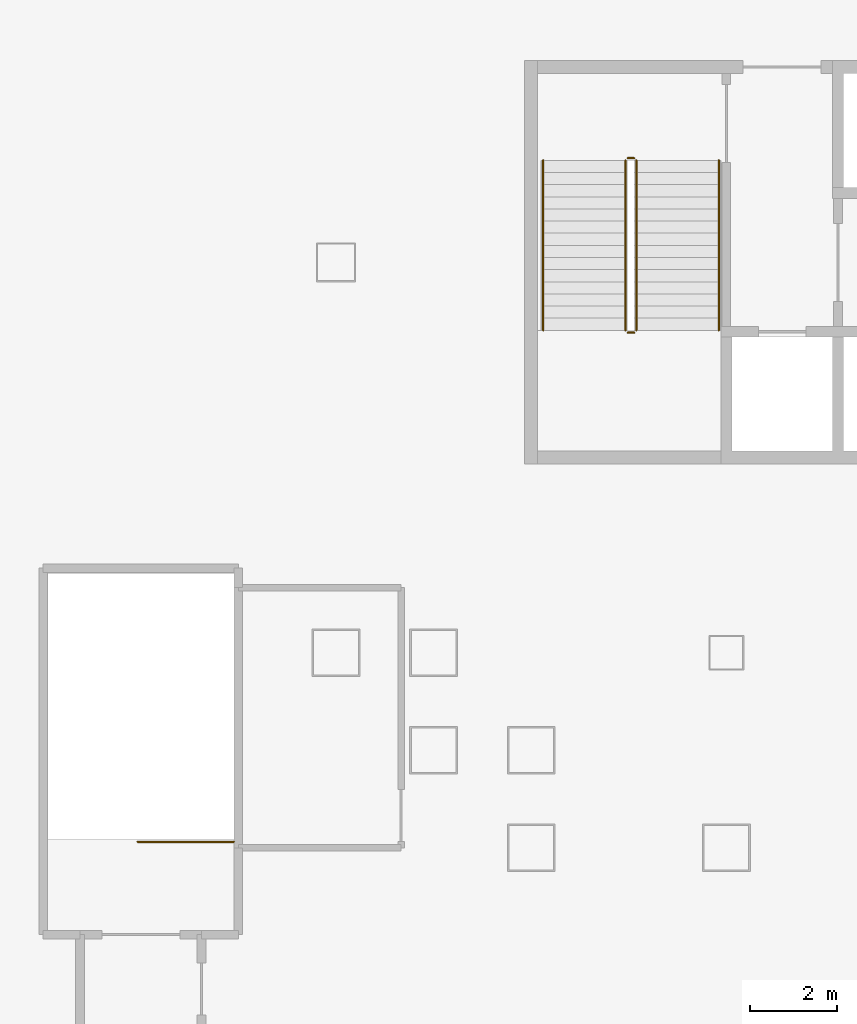
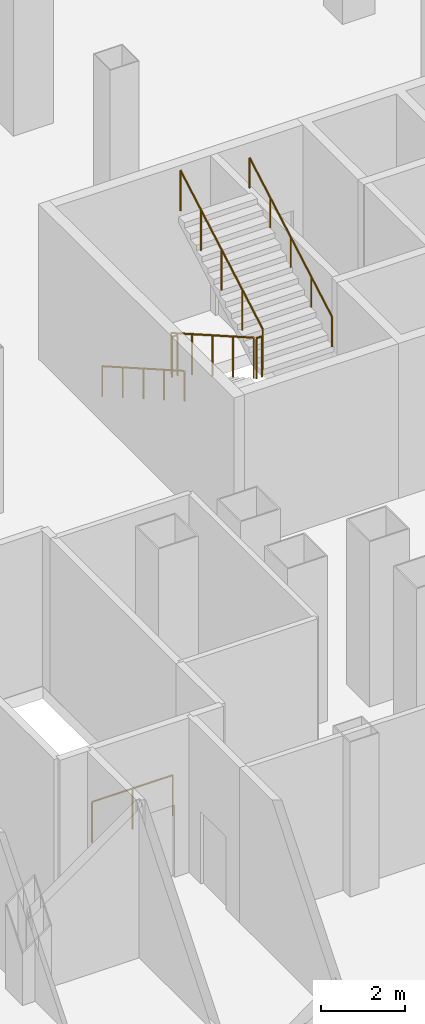
# One storey, part 11 of 13: 7 railings.
"""IFC4 building model written with IfcOpenShell, lengths in metres."""

from ifc_helpers import new_model, si_unit, direction, frame, origin, origin_2d, place, context, subcontext, project, spatial, circle, extrude, material, type_object, element, save


model = new_model("IFC4")

# Units and contexts
model_context = context("Model", 3, precision=1e-05, world=origin(), true_north=direction((0.0, 1.0)))
body_context = subcontext(model_context, "Body", "Model", "MODEL_VIEW")
ifc_project = project(units=[si_unit("LENGTHUNIT", "METRE"), si_unit("AREAUNIT", "SQUARE_METRE"), si_unit("VOLUMEUNIT", "CUBIC_METRE"), si_unit("PLANEANGLEUNIT", "RADIAN"), si_unit("MASSUNIT", "GRAM", prefix="KILO")], contexts=[model_context])

# Site, building, storey
site_placement = place(None, origin())
site = spatial("IfcSite", under=ifc_project, at=site_placement, CompositionType="ELEMENT")
building_placement = place(site_placement, origin())
building = spatial("IfcBuilding", under=site, at=building_placement, Name="Caravel Reach Hotel and Residences", CompositionType="ELEMENT")
storey_placement = place(building_placement, frame((0.0, 0.0, 28.800048828125)))
storey = spatial("IfcBuildingStorey", under=building, at=storey_placement, Name="L05", CompositionType="ELEMENT", Elevation=28.800048828125)

# Railings
ifc_material_1 = material(Name="Steel balustrade with glass infill", Category="steel")
railing_type_1 = type_object("IfcRailingType", Name="Guard 1200", PredefinedType="GUARDRAIL", material=ifc_material_1)
railing_1_placement = place(storey_placement, frame((20.175048828125, 29.35009765625, 0.159912109375)))
element("IfcRailing", 1, at=railing_1_placement, inside=storey, type_object=railing_type_1, Name="L05 ST-A stair guard 1", PredefinedType="GUARDRAIL", context=body_context, shape_type="SweptSolid", body=[
    extrude(circle(Radius=0.02392578125, at=origin_2d()), frame((0.0, 0.0, 1.17578125), z_axis=(0.0, -0.86825312469, 0.496121468458), x_axis=(1.0, 0.0, 0.0)), (0.0, 0.0, 1.0), 4.514892578125),
    extrude(circle(Radius=0.02099609375, at=origin_2d()), origin(), (0.0, 0.0, 1.0), 1.15185546875),
    extrude(circle(Radius=0.02099609375, at=origin_2d()), frame((0.0, -0.97998046875, 0.56005859375)), (0.0, 0.0, 1.0), 1.15185546875),
    extrude(circle(Radius=0.02099609375, at=origin_2d()), frame((0.0, -1.9599609375, 1.1201171875)), (0.0, 0.0, 1.0), 1.15185546875),
    extrude(circle(Radius=0.02099609375, at=origin_2d()), frame((0.0, -2.940185546875, 1.679931640625)), (0.0, 0.0, 1.0), 1.15185546875),
    extrude(circle(Radius=0.02099609375, at=origin_2d()), frame((0.0, -3.920166015625, 2.239990234375)), (0.0, 0.0, 1.0), 1.15185546875),
])
railing_2_placement = place(storey_placement, frame((20.22509765625, 25.3798828125, 2.39990234375)))
element("IfcRailing", 2, at=railing_2_placement, inside=storey, type_object=railing_type_1, Name="L05 ST-A stair guard 2", PredefinedType="GUARDRAIL", context=body_context, shape_type="SweptSolid", body=[
    extrude(circle(Radius=0.02392578125, at=origin_2d()), frame((0.0, 0.0, 1.17578125), z_axis=(1.0, 0.0, 0.0), x_axis=(0.0, 1.0, 0.0)), (0.0, 0.0, 1.0), 0.14990234375),
    extrude(circle(Radius=0.02099609375, at=origin_2d()), origin(), (0.0, 0.0, 1.0), 1.15185546875),
    extrude(circle(Radius=0.02099609375, at=origin_2d()), frame((0.14990234375, 0.0, 0.0)), (0.0, 0.0, 1.0), 1.15185546875),
])
railing_3_placement = place(storey_placement, frame((20.425048828125, 25.429931640625, 2.56005859375)))
element("IfcRailing", 3, at=railing_3_placement, inside=storey, type_object=railing_type_1, Name="L05 ST-A stair guard 3", PredefinedType="GUARDRAIL", context=body_context, shape_type="SweptSolid", body=[
    extrude(circle(Radius=0.02392578125, at=origin_2d()), frame((0.0, 0.0, 1.17578125), z_axis=(0.0, 0.86825312469, 0.496121468458), x_axis=(-1.0, 0.0, 0.0)), (0.0, 0.0, 1.0), 4.514892578125),
    extrude(circle(Radius=0.02099609375, at=origin_2d()), origin(), (0.0, 0.0, 1.0), 1.15185546875),
    extrude(circle(Radius=0.02099609375, at=origin_2d()), frame((0.0, 0.97998046875, 0.56005859375)), (0.0, 0.0, 1.0), 1.15185546875),
    extrude(circle(Radius=0.02099609375, at=origin_2d()), frame((0.0, 1.9599609375, 1.1201171875)), (0.0, 0.0, 1.0), 1.15185546875),
    extrude(circle(Radius=0.02099609375, at=origin_2d()), frame((0.0, 2.940185546875, 1.679931640625)), (0.0, 0.0, 1.0), 1.15185546875),
    extrude(circle(Radius=0.02099609375, at=origin_2d()), frame((0.0, 3.920166015625, 2.239990234375)), (0.0, 0.0, 1.0), 1.15185546875),
])
railing_4_placement = place(storey_placement, frame((20.22509765625, 29.39990234375, 0.0)))
element("IfcRailing", 4, at=railing_4_placement, inside=storey, type_object=railing_type_1, Name="L05 ST-A stair guard 4", PredefinedType="GUARDRAIL", context=body_context, shape_type="SweptSolid", body=[
    extrude(circle(Radius=0.02392578125, at=origin_2d()), frame((0.0, 0.0, 1.17578125), z_axis=(1.0, 0.0, 0.0), x_axis=(0.0, 1.0, 0.0)), (0.0, 0.0, 1.0), 0.14990234375),
    extrude(circle(Radius=0.02099609375, at=origin_2d()), origin(), (0.0, 0.0, 1.0), 1.15185546875),
    extrude(circle(Radius=0.02099609375, at=origin_2d()), frame((0.14990234375, 0.0, 0.0)), (0.0, 0.0, 1.0), 1.15185546875),
])
railing_5_placement = place(storey_placement, frame((11.14501953125, 13.639892578125, 0.0)))
element("IfcRailing", 5, at=railing_5_placement, inside=storey, type_object=railing_type_1, Name="L05 ST-P3 top well guard 1", PredefinedType="GUARDRAIL", context=body_context, shape_type="SweptSolid", body=[
    extrude(circle(Radius=0.02392578125, at=origin_2d()), frame((0.0, 0.0, 1.17578125), z_axis=(-1.0, 0.0, 0.0), x_axis=(0.0, -1.0, 0.0)), (0.0, 0.0, 1.0), 2.219970703125),
    extrude(circle(Radius=0.02099609375, at=origin_2d()), origin(), (0.0, 0.0, 1.0), 1.15185546875),
    extrude(circle(Radius=0.02099609375, at=origin_2d()), frame((-1.10986328125, 0.0, 0.0)), (0.0, 0.0, 1.0), 1.15185546875),
    extrude(circle(Radius=0.02099609375, at=origin_2d()), frame((-2.219970703125, 0.0, 0.0)), (0.0, 0.0, 1.0), 1.15185546875),
])
ifc_material_2 = material(Name="Stainless steel handrail", Category="steel")
railing_type_2 = type_object("IfcRailingType", Name="Handrail 900", PredefinedType="HANDRAIL", material=ifc_material_2)
railing_6_placement = place(storey_placement, frame((18.27490234375, 29.35009765625, 0.159912109375)))
element("IfcRailing", 6, at=railing_6_placement, inside=storey, type_object=railing_type_2, Name="L05 ST-A stair handrail 1", PredefinedType="HANDRAIL", context=body_context, shape_type="SweptSolid", body=[
    extrude(circle(Radius=0.02392578125, at=origin_2d()), frame((0.0, 0.0, 0.8759765625), z_axis=(0.0, -0.86825312469, 0.496121468458), x_axis=(1.0, 0.0, 0.0)), (0.0, 0.0, 1.0), 4.514892578125),
    extrude(circle(Radius=0.02099609375, at=origin_2d()), origin(), (0.0, 0.0, 1.0), 0.851806640625),
    extrude(circle(Radius=0.02099609375, at=origin_2d()), frame((0.0, -0.97998046875, 0.56005859375)), (0.0, 0.0, 1.0), 0.851806640625),
    extrude(circle(Radius=0.02099609375, at=origin_2d()), frame((0.0, -1.9599609375, 1.1201171875)), (0.0, 0.0, 1.0), 0.851806640625),
    extrude(circle(Radius=0.02099609375, at=origin_2d()), frame((0.0, -2.940185546875, 1.679931640625)), (0.0, 0.0, 1.0), 0.851806640625),
    extrude(circle(Radius=0.02099609375, at=origin_2d()), frame((0.0, -3.920166015625, 2.239990234375)), (0.0, 0.0, 1.0), 0.851806640625),
])
railing_7_placement = place(storey_placement, frame((22.324951171875, 25.429931640625, 2.56005859375)))
element("IfcRailing", 7, at=railing_7_placement, inside=storey, type_object=railing_type_2, Name="L05 ST-A stair handrail 2", PredefinedType="HANDRAIL", context=body_context, shape_type="SweptSolid", body=[
    extrude(circle(Radius=0.02392578125, at=origin_2d()), frame((0.0, 0.0, 0.8759765625), z_axis=(0.0, 0.86825312469, 0.496121468458), x_axis=(-1.0, 0.0, 0.0)), (0.0, 0.0, 1.0), 4.514892578125),
    extrude(circle(Radius=0.02099609375, at=origin_2d()), origin(), (0.0, 0.0, 1.0), 0.851806640625),
    extrude(circle(Radius=0.02099609375, at=origin_2d()), frame((0.0, 0.97998046875, 0.56005859375)), (0.0, 0.0, 1.0), 0.851806640625),
    extrude(circle(Radius=0.02099609375, at=origin_2d()), frame((0.0, 1.9599609375, 1.1201171875)), (0.0, 0.0, 1.0), 0.851806640625),
    extrude(circle(Radius=0.02099609375, at=origin_2d()), frame((0.0, 2.940185546875, 1.679931640625)), (0.0, 0.0, 1.0), 0.851806640625),
    extrude(circle(Radius=0.02099609375, at=origin_2d()), frame((0.0, 3.920166015625, 2.239990234375)), (0.0, 0.0, 1.0), 0.851806640625),
])

save(model, "model.ifc")
